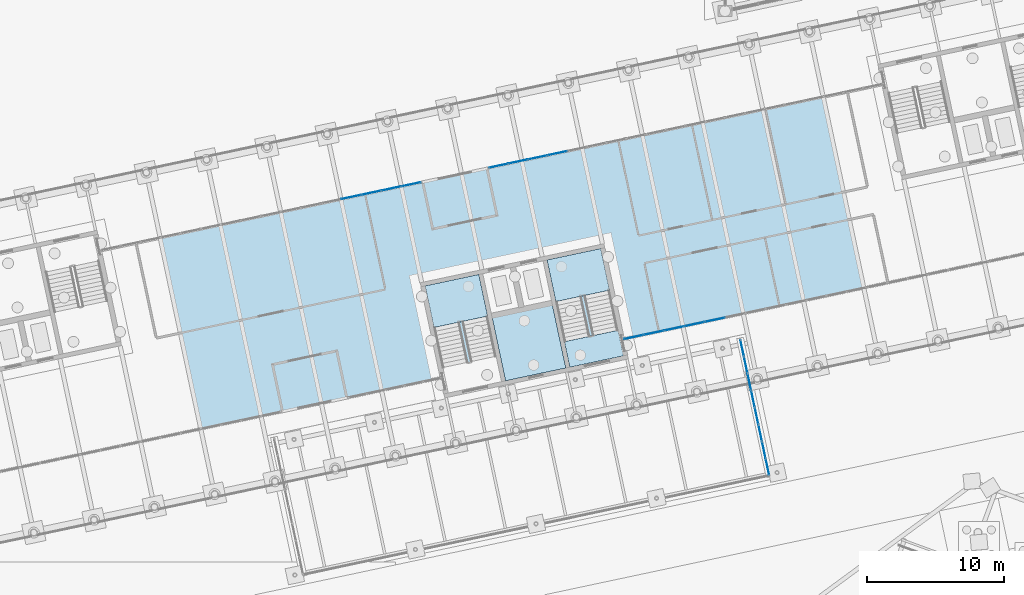
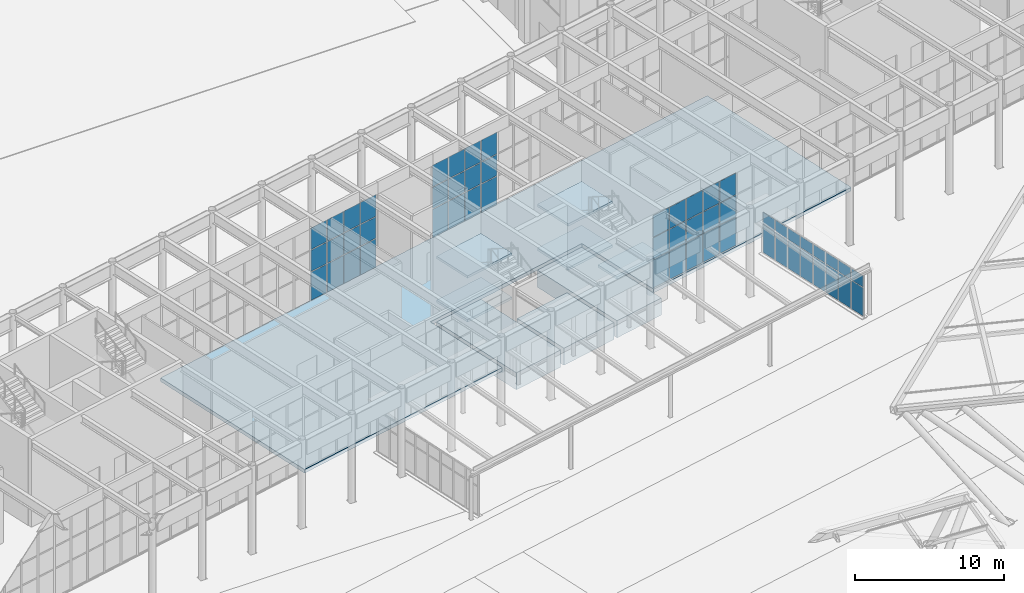
# One storey, part 147 of 239: 55 plates, 9 slabs, 6 elements without a shape of their own.
"""IFC4 building model written with IfcOpenShell, lengths in metres."""

from ifc_helpers import new_model, si_unit, direction, frame, origin, origin_2d, place, context, subcontext, project, spatial, polyline, rectangle, outline, extrude, material, layer, layer_set, type_object, element, aggregate, save


model = new_model("IFC4")

# Units and contexts
model_context = context("Model", 3, precision=1e-05, world=origin(), true_north=direction((0.0, 1.0)))
body_context = subcontext(model_context, "Body", "Model", "MODEL_VIEW")
ifc_project = project(units=[si_unit("LENGTHUNIT", "METRE"), si_unit("AREAUNIT", "SQUARE_METRE"), si_unit("VOLUMEUNIT", "CUBIC_METRE"), si_unit("PLANEANGLEUNIT", "RADIAN"), si_unit("MASSUNIT", "GRAM", prefix="KILO")], contexts=[model_context])

# Site, building, storey
site_placement = place(None, origin())
site = spatial("IfcSite", under=ifc_project, at=site_placement, CompositionType="ELEMENT")
building_placement = place(site_placement, origin())
building = spatial("IfcBuilding", under=site, at=building_placement, Name="Okhra Congress Centre", CompositionType="ELEMENT")
storey_placement = place(building_placement, origin())
storey = spatial("IfcBuildingStorey", under=building, at=storey_placement, Name="L00", CompositionType="ELEMENT", Elevation=0.0)

# Curtain wall, plates
ifc_material_1 = material(Name="Aluminium curtain wall, triple glazing", Category="aluminium")
curtain_wall_type_1 = type_object("IfcCurtainWallType", Name="Curtain wall 1500 module", PredefinedType="NOTDEFINED", material=ifc_material_1)
curtain_wall_1_placement = place(storey_placement, origin())
curtain_wall_1 = element("IfcCurtainWall", 1, at=curtain_wall_1_placement, inside=storey, type_object=curtain_wall_type_1, Name="Ground curtain wall S4", PredefinedType="NOTDEFINED")
ifc_material_2 = material(Name="Triple glazing unit, low-e coating, argon fill", Category="glass")
ifc_layer_1 = layer(ifc_material_2, 0.028076171875)
ifc_layer_set_1 = layer_set([ifc_layer_1], Name="Curtain wall glazing unit 28")
plate_type = type_object("IfcPlateType", Name="Curtain wall glazing unit 28", PredefinedType="CURTAIN_PANEL", material=ifc_layer_set_1)
plate_1_placement = place(storey_placement, frame((148.83056640625, 50.439453125, 0.06005859375), z_axis=(0.0, 0.0, 1.0), x_axis=(0.978147600734, 0.207911690818, 0.0)))
plate_1 = element("IfcPlate", 2, at=plate_1_placement, type_object=plate_type, Name="CW7 panel 1.1", PredefinedType="CURTAIN_PANEL", context=body_context, shape_type="SweptSolid", body=[
    extrude(rectangle(XDim=1.427001953125, YDim=0.028076171875, at=origin_2d()), origin(), (0.0, 0.0, 1.0), 2.31005859375),
])
plate_2_placement = place(storey_placement, frame((148.83056640625, 50.439453125, 2.43017578125), z_axis=(0.0, 0.0, 1.0), x_axis=(0.978147600734, 0.207911690818, 0.0)))
plate_2 = element("IfcPlate", 3, at=plate_2_placement, type_object=plate_type, Name="CW7 panel 1.2", PredefinedType="CURTAIN_PANEL", context=body_context, shape_type="SweptSolid", body=[
    extrude(rectangle(XDim=1.427001953125, YDim=0.028076171875, at=origin_2d()), origin(), (0.0, 0.0, 1.0), 1.739990234375),
])
plate_3_placement = place(storey_placement, frame((148.83056640625, 50.439453125, 4.22998046875), z_axis=(0.0, 0.0, 1.0), x_axis=(0.978147600734, 0.207911690818, 0.0)))
plate_3 = element("IfcPlate", 4, at=plate_3_placement, type_object=plate_type, Name="CW7 panel 1.3", PredefinedType="CURTAIN_PANEL", context=body_context, shape_type="SweptSolid", body=[
    extrude(rectangle(XDim=1.427001953125, YDim=0.028076171875, at=origin_2d()), origin(), (0.0, 0.0, 1.0), 1.760009765625),
])
plate_4_placement = place(storey_placement, frame((150.2998046875, 50.751708984375, 0.06005859375), z_axis=(0.0, 0.0, 1.0), x_axis=(0.978147600734, 0.207911690818, 0.0)))
plate_4 = element("IfcPlate", 5, at=plate_4_placement, type_object=plate_type, Name="CW7 panel 2.1", PredefinedType="CURTAIN_PANEL", context=body_context, shape_type="SweptSolid", body=[
    extrude(rectangle(XDim=1.45703125, YDim=0.028076171875, at=origin_2d()), origin(), (0.0, 0.0, 1.0), 2.31005859375),
])
plate_5_placement = place(storey_placement, frame((150.2998046875, 50.751708984375, 2.43017578125), z_axis=(0.0, 0.0, 1.0), x_axis=(0.978147600734, 0.207911690818, 0.0)))
plate_5 = element("IfcPlate", 6, at=plate_5_placement, type_object=plate_type, Name="CW7 panel 2.2", PredefinedType="CURTAIN_PANEL", context=body_context, shape_type="SweptSolid", body=[
    extrude(rectangle(XDim=1.45703125, YDim=0.028076171875, at=origin_2d()), origin(), (0.0, 0.0, 1.0), 1.739990234375),
])
plate_6_placement = place(storey_placement, frame((150.2998046875, 50.751708984375, 4.22998046875), z_axis=(0.0, 0.0, 1.0), x_axis=(0.978147600734, 0.207911690818, 0.0)))
plate_6 = element("IfcPlate", 7, at=plate_6_placement, type_object=plate_type, Name="CW7 panel 2.3", PredefinedType="CURTAIN_PANEL", context=body_context, shape_type="SweptSolid", body=[
    extrude(rectangle(XDim=1.45703125, YDim=0.028076171875, at=origin_2d()), origin(), (0.0, 0.0, 1.0), 1.760009765625),
])
plate_7_placement = place(storey_placement, frame((151.78369140625, 51.067138671875, 0.06005859375), z_axis=(0.0, 0.0, 1.0), x_axis=(0.978147600734, 0.207911690818, 0.0)))
plate_7 = element("IfcPlate", 8, at=plate_7_placement, type_object=plate_type, Name="CW7 panel 3.1", PredefinedType="CURTAIN_PANEL", context=body_context, shape_type="SweptSolid", body=[
    extrude(rectangle(XDim=1.45703125, YDim=0.028076171875, at=origin_2d()), origin(), (0.0, 0.0, 1.0), 2.31005859375),
])
plate_8_placement = place(storey_placement, frame((151.78369140625, 51.067138671875, 2.43017578125), z_axis=(0.0, 0.0, 1.0), x_axis=(0.978147600734, 0.207911690818, 0.0)))
plate_8 = element("IfcPlate", 9, at=plate_8_placement, type_object=plate_type, Name="CW7 panel 3.2", PredefinedType="CURTAIN_PANEL", context=body_context, shape_type="SweptSolid", body=[
    extrude(rectangle(XDim=1.45703125, YDim=0.028076171875, at=origin_2d()), origin(), (0.0, 0.0, 1.0), 1.739990234375),
])
plate_9_placement = place(storey_placement, frame((151.78369140625, 51.067138671875, 4.22998046875), z_axis=(0.0, 0.0, 1.0), x_axis=(0.978147600734, 0.207911690818, 0.0)))
plate_9 = element("IfcPlate", 10, at=plate_9_placement, type_object=plate_type, Name="CW7 panel 3.3", PredefinedType="CURTAIN_PANEL", context=body_context, shape_type="SweptSolid", body=[
    extrude(rectangle(XDim=1.45703125, YDim=0.028076171875, at=origin_2d()), origin(), (0.0, 0.0, 1.0), 1.760009765625),
])
plate_10_placement = place(storey_placement, frame((153.267578125, 51.382568359375, 0.06005859375), z_axis=(0.0, 0.0, 1.0), x_axis=(0.978147600734, 0.207911690818, 0.0)))
plate_10 = element("IfcPlate", 11, at=plate_10_placement, type_object=plate_type, Name="CW7 panel 4.1", PredefinedType="CURTAIN_PANEL", context=body_context, shape_type="SweptSolid", body=[
    extrude(rectangle(XDim=1.45703125, YDim=0.028076171875, at=origin_2d()), origin(), (0.0, 0.0, 1.0), 2.31005859375),
])
plate_11_placement = place(storey_placement, frame((153.267578125, 51.382568359375, 2.43017578125), z_axis=(0.0, 0.0, 1.0), x_axis=(0.978147600734, 0.207911690818, 0.0)))
plate_11 = element("IfcPlate", 12, at=plate_11_placement, type_object=plate_type, Name="CW7 panel 4.2", PredefinedType="CURTAIN_PANEL", context=body_context, shape_type="SweptSolid", body=[
    extrude(rectangle(XDim=1.45703125, YDim=0.028076171875, at=origin_2d()), origin(), (0.0, 0.0, 1.0), 1.739990234375),
])
plate_12_placement = place(storey_placement, frame((153.267578125, 51.382568359375, 4.22998046875), z_axis=(0.0, 0.0, 1.0), x_axis=(0.978147600734, 0.207911690818, 0.0)))
plate_12 = element("IfcPlate", 13, at=plate_12_placement, type_object=plate_type, Name="CW7 panel 4.3", PredefinedType="CURTAIN_PANEL", context=body_context, shape_type="SweptSolid", body=[
    extrude(rectangle(XDim=1.45703125, YDim=0.028076171875, at=origin_2d()), origin(), (0.0, 0.0, 1.0), 1.760009765625),
])
plate_13_placement = place(storey_placement, frame((154.75146484375, 51.69775390625, 0.06005859375), z_axis=(0.0, 0.0, 1.0), x_axis=(0.978147600734, 0.207911690818, 0.0)))
plate_13 = element("IfcPlate", 14, at=plate_13_placement, type_object=plate_type, Name="CW7 panel 5.1", PredefinedType="CURTAIN_PANEL", context=body_context, shape_type="SweptSolid", body=[
    extrude(rectangle(XDim=1.45703125, YDim=0.028076171875, at=origin_2d()), origin(), (0.0, 0.0, 1.0), 2.31005859375),
])
plate_14_placement = place(storey_placement, frame((154.75146484375, 51.69775390625, 2.43017578125), z_axis=(0.0, 0.0, 1.0), x_axis=(0.978147600734, 0.207911690818, 0.0)))
plate_14 = element("IfcPlate", 15, at=plate_14_placement, type_object=plate_type, Name="CW7 panel 5.2", PredefinedType="CURTAIN_PANEL", context=body_context, shape_type="SweptSolid", body=[
    extrude(rectangle(XDim=1.45703125, YDim=0.028076171875, at=origin_2d()), origin(), (0.0, 0.0, 1.0), 1.739990234375),
])
plate_15_placement = place(storey_placement, frame((154.75146484375, 51.69775390625, 4.22998046875), z_axis=(0.0, 0.0, 1.0), x_axis=(0.978147600734, 0.207911690818, 0.0)))
plate_15 = element("IfcPlate", 16, at=plate_15_placement, type_object=plate_type, Name="CW7 panel 5.3", PredefinedType="CURTAIN_PANEL", context=body_context, shape_type="SweptSolid", body=[
    extrude(rectangle(XDim=1.45703125, YDim=0.028076171875, at=origin_2d()), origin(), (0.0, 0.0, 1.0), 1.760009765625),
])
aggregate(curtain_wall_1, [plate_1, plate_2, plate_3, plate_4, plate_5, plate_6, plate_7, plate_8, plate_9, plate_10, plate_11, plate_12, plate_13, plate_14, plate_15])

curtain_wall_2_placement = place(storey_placement, origin())
curtain_wall_2 = element("IfcCurtainWall", 17, at=curtain_wall_2_placement, inside=storey, type_object=curtain_wall_type_1, Name="Ground curtain wall N8", PredefinedType="NOTDEFINED")
plate_16_placement = place(storey_placement, frame((128.19921875, 60.663330078125, 0.06005859375), z_axis=(0.0, 0.0, 1.0), x_axis=(0.978147600734, 0.207911690818, 0.0)))
plate_16 = element("IfcPlate", 18, at=plate_16_placement, type_object=plate_type, Name="CW7 panel 13.1", PredefinedType="CURTAIN_PANEL", context=body_context, shape_type="SweptSolid", body=[
    extrude(rectangle(XDim=1.4375, YDim=0.028076171875, at=origin_2d()), origin(), (0.0, 0.0, 1.0), 2.31005859375),
])
plate_17_placement = place(storey_placement, frame((128.19921875, 60.663330078125, 2.43017578125), z_axis=(0.0, 0.0, 1.0), x_axis=(0.978147600734, 0.207911690818, 0.0)))
plate_17 = element("IfcPlate", 19, at=plate_17_placement, type_object=plate_type, Name="CW7 panel 13.2", PredefinedType="CURTAIN_PANEL", context=body_context, shape_type="SweptSolid", body=[
    extrude(rectangle(XDim=1.4375, YDim=0.028076171875, at=origin_2d()), origin(), (0.0, 0.0, 1.0), 1.739990234375),
])
plate_18_placement = place(storey_placement, frame((128.19921875, 60.663330078125, 4.22998046875), z_axis=(0.0, 0.0, 1.0), x_axis=(0.978147600734, 0.207911690818, 0.0)))
plate_18 = element("IfcPlate", 20, at=plate_18_placement, type_object=plate_type, Name="CW7 panel 13.3", PredefinedType="CURTAIN_PANEL", context=body_context, shape_type="SweptSolid", body=[
    extrude(rectangle(XDim=1.4375, YDim=0.028076171875, at=origin_2d()), origin(), (0.0, 0.0, 1.0), 1.760009765625),
])
plate_19_placement = place(storey_placement, frame((129.6640625, 60.974609375, 0.06005859375), z_axis=(0.0, 0.0, 1.0), x_axis=(0.978147600734, 0.207911690818, 0.0)))
plate_19 = element("IfcPlate", 21, at=plate_19_placement, type_object=plate_type, Name="CW7 panel 14.1", PredefinedType="CURTAIN_PANEL", context=body_context, shape_type="SweptSolid", body=[
    extrude(rectangle(XDim=1.4375, YDim=0.028076171875, at=origin_2d()), origin(), (0.0, 0.0, 1.0), 2.31005859375),
])
plate_20_placement = place(storey_placement, frame((129.6640625, 60.974609375, 2.43017578125), z_axis=(0.0, 0.0, 1.0), x_axis=(0.978147600734, 0.207911690818, 0.0)))
plate_20 = element("IfcPlate", 22, at=plate_20_placement, type_object=plate_type, Name="CW7 panel 14.2", PredefinedType="CURTAIN_PANEL", context=body_context, shape_type="SweptSolid", body=[
    extrude(rectangle(XDim=1.4375, YDim=0.028076171875, at=origin_2d()), origin(), (0.0, 0.0, 1.0), 1.739990234375),
])
plate_21_placement = place(storey_placement, frame((129.6640625, 60.974609375, 4.22998046875), z_axis=(0.0, 0.0, 1.0), x_axis=(0.978147600734, 0.207911690818, 0.0)))
plate_21 = element("IfcPlate", 23, at=plate_21_placement, type_object=plate_type, Name="CW7 panel 14.3", PredefinedType="CURTAIN_PANEL", context=body_context, shape_type="SweptSolid", body=[
    extrude(rectangle(XDim=1.4375, YDim=0.028076171875, at=origin_2d()), origin(), (0.0, 0.0, 1.0), 1.760009765625),
])
plate_22_placement = place(storey_placement, frame((131.12890625, 61.285888671875, 0.06005859375), z_axis=(0.0, 0.0, 1.0), x_axis=(0.978147600734, 0.207911690818, 0.0)))
plate_22 = element("IfcPlate", 24, at=plate_22_placement, type_object=plate_type, Name="CW7 panel 15.1", PredefinedType="CURTAIN_PANEL", context=body_context, shape_type="SweptSolid", body=[
    extrude(rectangle(XDim=1.4375, YDim=0.028076171875, at=origin_2d()), origin(), (0.0, 0.0, 1.0), 2.31005859375),
])
plate_23_placement = place(storey_placement, frame((131.12890625, 61.285888671875, 2.43017578125), z_axis=(0.0, 0.0, 1.0), x_axis=(0.978147600734, 0.207911690818, 0.0)))
plate_23 = element("IfcPlate", 25, at=plate_23_placement, type_object=plate_type, Name="CW7 panel 15.2", PredefinedType="CURTAIN_PANEL", context=body_context, shape_type="SweptSolid", body=[
    extrude(rectangle(XDim=1.4375, YDim=0.028076171875, at=origin_2d()), origin(), (0.0, 0.0, 1.0), 1.739990234375),
])
plate_24_placement = place(storey_placement, frame((131.12890625, 61.285888671875, 4.22998046875), z_axis=(0.0, 0.0, 1.0), x_axis=(0.978147600734, 0.207911690818, 0.0)))
plate_24 = element("IfcPlate", 26, at=plate_24_placement, type_object=plate_type, Name="CW7 panel 15.3", PredefinedType="CURTAIN_PANEL", context=body_context, shape_type="SweptSolid", body=[
    extrude(rectangle(XDim=1.4375, YDim=0.028076171875, at=origin_2d()), origin(), (0.0, 0.0, 1.0), 1.760009765625),
])
plate_25_placement = place(storey_placement, frame((132.578857421875, 61.59423828125, 0.06005859375), z_axis=(0.0, 0.0, 1.0), x_axis=(0.978147600734, 0.207911690818, 0.0)))
plate_25 = element("IfcPlate", 27, at=plate_25_placement, type_object=plate_type, Name="CW7 panel 16.1", PredefinedType="CURTAIN_PANEL", context=body_context, shape_type="SweptSolid", body=[
    extrude(rectangle(XDim=1.407470703125, YDim=0.028076171875, at=origin_2d()), origin(), (0.0, 0.0, 1.0), 2.31005859375),
])
plate_26_placement = place(storey_placement, frame((132.578857421875, 61.59423828125, 2.43017578125), z_axis=(0.0, 0.0, 1.0), x_axis=(0.978147600734, 0.207911690818, 0.0)))
plate_26 = element("IfcPlate", 28, at=plate_26_placement, type_object=plate_type, Name="CW7 panel 16.2", PredefinedType="CURTAIN_PANEL", context=body_context, shape_type="SweptSolid", body=[
    extrude(rectangle(XDim=1.407470703125, YDim=0.028076171875, at=origin_2d()), origin(), (0.0, 0.0, 1.0), 1.739990234375),
])
plate_27_placement = place(storey_placement, frame((132.578857421875, 61.59423828125, 4.22998046875), z_axis=(0.0, 0.0, 1.0), x_axis=(0.978147600734, 0.207911690818, 0.0)))
plate_27 = element("IfcPlate", 29, at=plate_27_placement, type_object=plate_type, Name="CW7 panel 16.3", PredefinedType="CURTAIN_PANEL", context=body_context, shape_type="SweptSolid", body=[
    extrude(rectangle(XDim=1.407470703125, YDim=0.028076171875, at=origin_2d()), origin(), (0.0, 0.0, 1.0), 1.760009765625),
])
aggregate(curtain_wall_2, [plate_16, plate_17, plate_18, plate_19, plate_20, plate_21, plate_22, plate_23, plate_24, plate_25, plate_26, plate_27])

curtain_wall_3_placement = place(storey_placement, origin())
curtain_wall_3 = element("IfcCurtainWall", 30, at=curtain_wall_3_placement, inside=storey, type_object=curtain_wall_type_1, Name="Ground curtain wall N9", PredefinedType="NOTDEFINED")
plate_28_placement = place(storey_placement, frame((138.951904296875, 62.94873046875, 0.06005859375), z_axis=(0.0, 0.0, 1.0), x_axis=(0.978147600734, 0.207911690818, 0.0)))
plate_28 = element("IfcPlate", 31, at=plate_28_placement, type_object=plate_type, Name="CW7 panel 1.1", PredefinedType="CURTAIN_PANEL", context=body_context, shape_type="SweptSolid", body=[
    extrude(rectangle(XDim=1.383056640625, YDim=0.028076171875, at=origin_2d()), origin(), (0.0, 0.0, 1.0), 2.31005859375),
])
plate_29_placement = place(storey_placement, frame((138.951904296875, 62.94873046875, 2.43017578125), z_axis=(0.0, 0.0, 1.0), x_axis=(0.978147600734, 0.207911690818, 0.0)))
plate_29 = element("IfcPlate", 32, at=plate_29_placement, type_object=plate_type, Name="CW7 panel 1.2", PredefinedType="CURTAIN_PANEL", context=body_context, shape_type="SweptSolid", body=[
    extrude(rectangle(XDim=1.383056640625, YDim=0.028076171875, at=origin_2d()), origin(), (0.0, 0.0, 1.0), 1.739990234375),
])
plate_30_placement = place(storey_placement, frame((138.951904296875, 62.94873046875, 4.22998046875), z_axis=(0.0, 0.0, 1.0), x_axis=(0.978147600734, 0.207911690818, 0.0)))
plate_30 = element("IfcPlate", 33, at=plate_30_placement, type_object=plate_type, Name="CW7 panel 1.3", PredefinedType="CURTAIN_PANEL", context=body_context, shape_type="SweptSolid", body=[
    extrude(rectangle(XDim=1.383056640625, YDim=0.028076171875, at=origin_2d()), origin(), (0.0, 0.0, 1.0), 1.760009765625),
])
plate_31_placement = place(storey_placement, frame((140.3779296875, 63.251953125, 0.06005859375), z_axis=(0.0, 0.0, 1.0), x_axis=(0.978147600734, 0.207911690818, 0.0)))
plate_31 = element("IfcPlate", 34, at=plate_31_placement, type_object=plate_type, Name="CW7 panel 2.1", PredefinedType="CURTAIN_PANEL", context=body_context, shape_type="SweptSolid", body=[
    extrude(rectangle(XDim=1.4130859375, YDim=0.028076171875, at=origin_2d()), origin(), (0.0, 0.0, 1.0), 2.31005859375),
])
plate_32_placement = place(storey_placement, frame((140.3779296875, 63.251953125, 2.43017578125), z_axis=(0.0, 0.0, 1.0), x_axis=(0.978147600734, 0.207911690818, 0.0)))
plate_32 = element("IfcPlate", 35, at=plate_32_placement, type_object=plate_type, Name="CW7 panel 2.2", PredefinedType="CURTAIN_PANEL", context=body_context, shape_type="SweptSolid", body=[
    extrude(rectangle(XDim=1.4130859375, YDim=0.028076171875, at=origin_2d()), origin(), (0.0, 0.0, 1.0), 1.739990234375),
])
plate_33_placement = place(storey_placement, frame((140.3779296875, 63.251953125, 4.22998046875), z_axis=(0.0, 0.0, 1.0), x_axis=(0.978147600734, 0.207911690818, 0.0)))
plate_33 = element("IfcPlate", 36, at=plate_33_placement, type_object=plate_type, Name="CW7 panel 2.3", PredefinedType="CURTAIN_PANEL", context=body_context, shape_type="SweptSolid", body=[
    extrude(rectangle(XDim=1.4130859375, YDim=0.028076171875, at=origin_2d()), origin(), (0.0, 0.0, 1.0), 1.760009765625),
])
plate_34_placement = place(storey_placement, frame((141.81884765625, 63.55810546875, 0.06005859375), z_axis=(0.0, 0.0, 1.0), x_axis=(0.978147600734, 0.207911690818, 0.0)))
plate_34 = element("IfcPlate", 37, at=plate_34_placement, type_object=plate_type, Name="CW7 panel 3.1", PredefinedType="CURTAIN_PANEL", context=body_context, shape_type="SweptSolid", body=[
    extrude(rectangle(XDim=1.4130859375, YDim=0.028076171875, at=origin_2d()), origin(), (0.0, 0.0, 1.0), 2.31005859375),
])
plate_35_placement = place(storey_placement, frame((141.81884765625, 63.55810546875, 2.43017578125), z_axis=(0.0, 0.0, 1.0), x_axis=(0.978147600734, 0.207911690818, 0.0)))
plate_35 = element("IfcPlate", 38, at=plate_35_placement, type_object=plate_type, Name="CW7 panel 3.2", PredefinedType="CURTAIN_PANEL", context=body_context, shape_type="SweptSolid", body=[
    extrude(rectangle(XDim=1.4130859375, YDim=0.028076171875, at=origin_2d()), origin(), (0.0, 0.0, 1.0), 1.739990234375),
])
plate_36_placement = place(storey_placement, frame((141.81884765625, 63.55810546875, 4.22998046875), z_axis=(0.0, 0.0, 1.0), x_axis=(0.978147600734, 0.207911690818, 0.0)))
plate_36 = element("IfcPlate", 39, at=plate_36_placement, type_object=plate_type, Name="CW7 panel 3.3", PredefinedType="CURTAIN_PANEL", context=body_context, shape_type="SweptSolid", body=[
    extrude(rectangle(XDim=1.4130859375, YDim=0.028076171875, at=origin_2d()), origin(), (0.0, 0.0, 1.0), 1.760009765625),
])
plate_37_placement = place(storey_placement, frame((143.259521484375, 63.864501953125, 0.06005859375), z_axis=(0.0, 0.0, 1.0), x_axis=(0.978147600734, 0.207911690818, 0.0)))
plate_37 = element("IfcPlate", 40, at=plate_37_placement, type_object=plate_type, Name="CW7 panel 4.1", PredefinedType="CURTAIN_PANEL", context=body_context, shape_type="SweptSolid", body=[
    extrude(rectangle(XDim=1.4130859375, YDim=0.028076171875, at=origin_2d()), origin(), (0.0, 0.0, 1.0), 2.31005859375),
])
plate_38_placement = place(storey_placement, frame((143.259521484375, 63.864501953125, 2.43017578125), z_axis=(0.0, 0.0, 1.0), x_axis=(0.978147600734, 0.207911690818, 0.0)))
plate_38 = element("IfcPlate", 41, at=plate_38_placement, type_object=plate_type, Name="CW7 panel 4.2", PredefinedType="CURTAIN_PANEL", context=body_context, shape_type="SweptSolid", body=[
    extrude(rectangle(XDim=1.4130859375, YDim=0.028076171875, at=origin_2d()), origin(), (0.0, 0.0, 1.0), 1.739990234375),
])
plate_39_placement = place(storey_placement, frame((143.259521484375, 63.864501953125, 4.22998046875), z_axis=(0.0, 0.0, 1.0), x_axis=(0.978147600734, 0.207911690818, 0.0)))
plate_39 = element("IfcPlate", 42, at=plate_39_placement, type_object=plate_type, Name="CW7 panel 4.3", PredefinedType="CURTAIN_PANEL", context=body_context, shape_type="SweptSolid", body=[
    extrude(rectangle(XDim=1.4130859375, YDim=0.028076171875, at=origin_2d()), origin(), (0.0, 0.0, 1.0), 1.760009765625),
])
aggregate(curtain_wall_3, [plate_28, plate_29, plate_30, plate_31, plate_32, plate_33, plate_34, plate_35, plate_36, plate_37, plate_38, plate_39])

curtain_wall_type_2 = type_object("IfcCurtainWallType", Name="Curtain wall 1200 module", PredefinedType="NOTDEFINED", material=ifc_material_1)
curtain_wall_4_placement = place(storey_placement, origin())
curtain_wall_4 = element("IfcCurtainWall", 43, at=curtain_wall_4_placement, inside=storey, type_object=curtain_wall_type_2, Name="Porch glazed side 2", PredefinedType="NOTDEFINED")
plate_40_placement = place(storey_placement, frame((158.6015625, 40.959716796875, 0.06005859375), z_axis=(0.0, 0.0, 1.0), x_axis=(-0.207911690818, 0.978147600734, 0.0)))
plate_40 = element("IfcPlate", 44, at=plate_40_placement, type_object=plate_type, Name="CW8 panel 1.1", PredefinedType="CURTAIN_PANEL", context=body_context, shape_type="SweptSolid", body=[
    extrude(rectangle(XDim=1.181884765625, YDim=0.028076171875, at=origin_2d()), origin(), (0.0, 0.0, 1.0), 2.31005859375),
])
plate_41_placement = place(storey_placement, frame((158.6015625, 40.959716796875, 2.429931640625), z_axis=(0.0, 0.0, 1.0), x_axis=(-0.207911690818, 0.978147600734, 0.0)))
plate_41 = element("IfcPlate", 45, at=plate_41_placement, type_object=plate_type, Name="CW8 panel 1.2", PredefinedType="CURTAIN_PANEL", context=body_context, shape_type="SweptSolid", body=[
    extrude(rectangle(XDim=1.181884765625, YDim=0.028076171875, at=origin_2d()), origin(), (0.0, 0.0, 1.0), 0.92578125),
])
plate_42_placement = place(storey_placement, frame((158.34033203125, 42.18896484375, 0.06005859375), z_axis=(0.0, 0.0, 1.0), x_axis=(-0.207911690818, 0.978147600734, 0.0)))
plate_42 = element("IfcPlate", 46, at=plate_42_placement, type_object=plate_type, Name="CW8 panel 2.1", PredefinedType="CURTAIN_PANEL", context=body_context, shape_type="SweptSolid", body=[
    extrude(rectangle(XDim=1.2119140625, YDim=0.028076171875, at=origin_2d()), origin(), (0.0, 0.0, 1.0), 2.31005859375),
])
plate_43_placement = place(storey_placement, frame((158.34033203125, 42.18896484375, 2.429931640625), z_axis=(0.0, 0.0, 1.0), x_axis=(-0.207911690818, 0.978147600734, 0.0)))
plate_43 = element("IfcPlate", 47, at=plate_43_placement, type_object=plate_type, Name="CW8 panel 2.2", PredefinedType="CURTAIN_PANEL", context=body_context, shape_type="SweptSolid", body=[
    extrude(rectangle(XDim=1.2119140625, YDim=0.028076171875, at=origin_2d()), origin(), (0.0, 0.0, 1.0), 0.92578125),
])
plate_44_placement = place(storey_placement, frame((158.07568359375, 43.43310546875, 0.06005859375), z_axis=(0.0, 0.0, 1.0), x_axis=(-0.207911690818, 0.978147600734, 0.0)))
plate_44 = element("IfcPlate", 48, at=plate_44_placement, type_object=plate_type, Name="CW8 panel 3.1", PredefinedType="CURTAIN_PANEL", context=body_context, shape_type="SweptSolid", body=[
    extrude(rectangle(XDim=1.2119140625, YDim=0.028076171875, at=origin_2d()), origin(), (0.0, 0.0, 1.0), 2.31005859375),
])
plate_45_placement = place(storey_placement, frame((158.07568359375, 43.43310546875, 2.429931640625), z_axis=(0.0, 0.0, 1.0), x_axis=(-0.207911690818, 0.978147600734, 0.0)))
plate_45 = element("IfcPlate", 49, at=plate_45_placement, type_object=plate_type, Name="CW8 panel 3.2", PredefinedType="CURTAIN_PANEL", context=body_context, shape_type="SweptSolid", body=[
    extrude(rectangle(XDim=1.2119140625, YDim=0.028076171875, at=origin_2d()), origin(), (0.0, 0.0, 1.0), 0.92578125),
])
plate_46_placement = place(storey_placement, frame((157.811279296875, 44.67724609375, 0.06005859375), z_axis=(0.0, 0.0, 1.0), x_axis=(-0.207911690818, 0.978147600734, 0.0)))
plate_46 = element("IfcPlate", 50, at=plate_46_placement, type_object=plate_type, Name="CW8 panel 4.1", PredefinedType="CURTAIN_PANEL", context=body_context, shape_type="SweptSolid", body=[
    extrude(rectangle(XDim=1.2119140625, YDim=0.028076171875, at=origin_2d()), origin(), (0.0, 0.0, 1.0), 2.31005859375),
])
plate_47_placement = place(storey_placement, frame((157.811279296875, 44.67724609375, 2.429931640625), z_axis=(0.0, 0.0, 1.0), x_axis=(-0.207911690818, 0.978147600734, 0.0)))
plate_47 = element("IfcPlate", 51, at=plate_47_placement, type_object=plate_type, Name="CW8 panel 4.2", PredefinedType="CURTAIN_PANEL", context=body_context, shape_type="SweptSolid", body=[
    extrude(rectangle(XDim=1.2119140625, YDim=0.028076171875, at=origin_2d()), origin(), (0.0, 0.0, 1.0), 0.92578125),
])
plate_48_placement = place(storey_placement, frame((157.546875, 45.92138671875, 0.06005859375), z_axis=(0.0, 0.0, 1.0), x_axis=(-0.207911690818, 0.978147600734, 0.0)))
plate_48 = element("IfcPlate", 52, at=plate_48_placement, type_object=plate_type, Name="CW8 panel 5.1", PredefinedType="CURTAIN_PANEL", context=body_context, shape_type="SweptSolid", body=[
    extrude(rectangle(XDim=1.2119140625, YDim=0.028076171875, at=origin_2d()), origin(), (0.0, 0.0, 1.0), 2.31005859375),
])
plate_49_placement = place(storey_placement, frame((157.546875, 45.92138671875, 2.429931640625), z_axis=(0.0, 0.0, 1.0), x_axis=(-0.207911690818, 0.978147600734, 0.0)))
plate_49 = element("IfcPlate", 53, at=plate_49_placement, type_object=plate_type, Name="CW8 panel 5.2", PredefinedType="CURTAIN_PANEL", context=body_context, shape_type="SweptSolid", body=[
    extrude(rectangle(XDim=1.2119140625, YDim=0.028076171875, at=origin_2d()), origin(), (0.0, 0.0, 1.0), 0.92578125),
])
plate_50_placement = place(storey_placement, frame((157.282470703125, 47.165283203125, 0.06005859375), z_axis=(0.0, 0.0, 1.0), x_axis=(-0.207911690818, 0.978147600734, 0.0)))
plate_50 = element("IfcPlate", 54, at=plate_50_placement, type_object=plate_type, Name="CW8 panel 6.1", PredefinedType="CURTAIN_PANEL", context=body_context, shape_type="SweptSolid", body=[
    extrude(rectangle(XDim=1.2119140625, YDim=0.028076171875, at=origin_2d()), origin(), (0.0, 0.0, 1.0), 2.31005859375),
])
plate_51_placement = place(storey_placement, frame((157.282470703125, 47.165283203125, 2.429931640625), z_axis=(0.0, 0.0, 1.0), x_axis=(-0.207911690818, 0.978147600734, 0.0)))
plate_51 = element("IfcPlate", 55, at=plate_51_placement, type_object=plate_type, Name="CW8 panel 6.2", PredefinedType="CURTAIN_PANEL", context=body_context, shape_type="SweptSolid", body=[
    extrude(rectangle(XDim=1.2119140625, YDim=0.028076171875, at=origin_2d()), origin(), (0.0, 0.0, 1.0), 0.92578125),
])
plate_52_placement = place(storey_placement, frame((157.01806640625, 48.409423828125, 0.06005859375), z_axis=(0.0, 0.0, 1.0), x_axis=(-0.207911690818, 0.978147600734, 0.0)))
plate_52 = element("IfcPlate", 56, at=plate_52_placement, type_object=plate_type, Name="CW8 panel 7.1", PredefinedType="CURTAIN_PANEL", context=body_context, shape_type="SweptSolid", body=[
    extrude(rectangle(XDim=1.2119140625, YDim=0.028076171875, at=origin_2d()), origin(), (0.0, 0.0, 1.0), 2.31005859375),
])
plate_53_placement = place(storey_placement, frame((157.01806640625, 48.409423828125, 2.429931640625), z_axis=(0.0, 0.0, 1.0), x_axis=(-0.207911690818, 0.978147600734, 0.0)))
plate_53 = element("IfcPlate", 57, at=plate_53_placement, type_object=plate_type, Name="CW8 panel 7.2", PredefinedType="CURTAIN_PANEL", context=body_context, shape_type="SweptSolid", body=[
    extrude(rectangle(XDim=1.2119140625, YDim=0.028076171875, at=origin_2d()), origin(), (0.0, 0.0, 1.0), 0.92578125),
])
plate_54_placement = place(storey_placement, frame((156.7568359375, 49.638916015625, 0.06005859375), z_axis=(0.0, 0.0, 1.0), x_axis=(-0.207911690818, 0.978147600734, 0.0)))
plate_54 = element("IfcPlate", 58, at=plate_54_placement, type_object=plate_type, Name="CW8 panel 8.1", PredefinedType="CURTAIN_PANEL", context=body_context, shape_type="SweptSolid", body=[
    extrude(rectangle(XDim=1.181884765625, YDim=0.028076171875, at=origin_2d()), origin(), (0.0, 0.0, 1.0), 2.31005859375),
])
plate_55_placement = place(storey_placement, frame((156.7568359375, 49.638916015625, 2.429931640625), z_axis=(0.0, 0.0, 1.0), x_axis=(-0.207911690818, 0.978147600734, 0.0)))
plate_55 = element("IfcPlate", 59, at=plate_55_placement, type_object=plate_type, Name="CW8 panel 8.2", PredefinedType="CURTAIN_PANEL", context=body_context, shape_type="SweptSolid", body=[
    extrude(rectangle(XDim=1.181884765625, YDim=0.028076171875, at=origin_2d()), origin(), (0.0, 0.0, 1.0), 0.92578125),
])
aggregate(curtain_wall_4, [plate_40, plate_41, plate_42, plate_43, plate_44, plate_45, plate_46, plate_47, plate_48, plate_49, plate_50, plate_51, plate_52, plate_53, plate_54, plate_55])

# Slabs
ifc_material_3 = material(Name="Concrete C35/45", Category="concrete")
ifc_layer_2 = layer(ifc_material_3, 1.39990234375)
ifc_layer_set_2 = layer_set([ifc_layer_2], Name="RC core raft slab 1400 C35/45")
slab_type_1 = type_object("IfcSlabType", Name="RC core raft slab 1400 C35/45", PredefinedType="BASESLAB", material=ifc_layer_set_2)
slab_1_placement = place(storey_placement, frame((0.0, 0.0, -1.39990234375)))
element("IfcSlab", 60, at=slab_1_placement, inside=storey, type_object=slab_type_1, Name="Stair cell raft 3A", PredefinedType="BASESLAB", context=body_context, shape_type="SweptSolid", body=[
    extrude(outline(polyline([(139.183349609375, 47.182373046875), (137.52001953125, 55.007568359375), (133.607421875, 54.176025390625), (135.270751953125, 46.350830078125), (139.183349609375, 47.182373046875)])), origin(), (0.0, 0.0, 1.0), 1.39990234375),
])
slab_2_placement = place(storey_placement, frame((0.0, 0.0, -1.39990234375)))
element("IfcSlab", 61, at=slab_2_placement, inside=storey, type_object=slab_type_1, Name="Stair cell raft 3B", PredefinedType="BASESLAB", context=body_context, shape_type="SweptSolid", body=[
    extrude(outline(polyline([(148.08447265625, 49.074462890625), (146.42138671875, 56.899658203125), (142.5087890625, 56.06787109375), (144.171875, 48.24267578125), (148.08447265625, 49.074462890625)])), origin(), (0.0, 0.0, 1.0), 1.39990234375),
])
slab_3_placement = place(storey_placement, frame((0.0, 0.0, -1.39990234375)))
element("IfcSlab", 62, at=slab_3_placement, inside=storey, type_object=slab_type_1, Name="Riser room raft 3", PredefinedType="BASESLAB", context=body_context, shape_type="SweptSolid", body=[
    extrude(outline(polyline([(139.476806640625, 47.244873046875), (143.87841796875, 48.180419921875), (142.9013671875, 52.777587890625), (138.499755859375, 51.842041015625), (139.476806640625, 47.244873046875)])), origin(), (0.0, 0.0, 1.0), 1.39990234375),
])
ifc_material_4 = material(Name="Concrete C25/30", Category="concrete")
ifc_layer_3 = layer(ifc_material_4, 0.300048828125)
ifc_layer_set_3 = layer_set([ifc_layer_3], Name="RC ground slab 300 C25/30")
slab_type_2 = type_object("IfcSlabType", Name="RC ground slab 300 C25/30", PredefinedType="BASESLAB", material=ifc_layer_set_3)
slab_4_placement = place(storey_placement, frame((0.0, 0.0, -0.300048828125)))
element("IfcSlab", 63, at=slab_4_placement, inside=storey, type_object=slab_type_2, Name="Ground slab 2", PredefinedType="BASESLAB", context=body_context, shape_type="SweptSolid", body=[
    extrude(outline(polyline([(114.284423828125, 57.787353515625), (117.288818359375, 43.653076171875), (134.748779296875, 47.3642578125), (133.251708984375, 54.406982421875), (146.65234375, 57.25537109375), (148.1494140625, 50.212646484375), (165.609130859375, 53.924072265625), (162.60498046875, 68.05810546875), (114.284423828125, 57.787353515625)])), origin(), (0.0, 0.0, 1.0), 0.300048828125),
])

# Stair, slabs
ifc_material_5 = material(Name="Concrete C30/37", Category="concrete")
stair_type = type_object("IfcStairType", Name="Escape stair 1900 wide, 44 risers of 163.6", PredefinedType="HALF_TURN_STAIR", material=ifc_material_5)
stair_1_placement = place(storey_placement, origin())
stair_1 = element("IfcStair", 64, at=stair_1_placement, inside=storey, type_object=stair_type, Name="L00 Escape stair 3A", PredefinedType="HALF_TURN_STAIR")
ifc_layer_4 = layer(ifc_material_5, 0.199951171875)
ifc_layer_set_4 = layer_set([ifc_layer_4], Name="RC stair landing 200 C30/37")
slab_type_3 = type_object("IfcSlabType", Name="RC stair landing 200 C30/37", PredefinedType="LANDING", material=ifc_layer_set_4)
slab_5_placement = place(storey_placement, frame((0.0, 0.0, 1.60009765625)))
slab_5 = element("IfcSlab", 65, at=slab_5_placement, type_object=slab_type_3, Name="BS3A landing 1", PredefinedType="LANDING", context=body_context, shape_type="SweptSolid", body=[
    extrude(outline(polyline([(138.170654296875, 51.971435546875), (134.248291015625, 51.1376953125), (133.6015625, 54.1796875), (137.52392578125, 55.013427734375), (138.170654296875, 51.971435546875)])), origin(), (0.0, 0.0, 1.0), 0.199951171875),
])
slab_6_placement = place(storey_placement, frame((0.0, 0.0, 5.199951171875)))
slab_6 = element("IfcSlab", 66, at=slab_6_placement, type_object=slab_type_3, Name="BS3A landing 3", PredefinedType="LANDING", context=body_context, shape_type="SweptSolid", body=[
    extrude(outline(polyline([(138.170654296875, 51.971435546875), (134.248291015625, 51.1376953125), (133.6015625, 54.1796875), (137.52392578125, 55.013427734375), (138.170654296875, 51.971435546875)])), origin(), (0.0, 0.0, 1.0), 0.199951171875),
])
aggregate(stair_1, [slab_5, slab_6])

stair_2_placement = place(storey_placement, origin())
stair_2 = element("IfcStair", 67, at=stair_2_placement, inside=storey, type_object=stair_type, Name="L00 Escape stair 3B", PredefinedType="HALF_TURN_STAIR")
slab_7_placement = place(storey_placement, frame((0.0, 0.0, 1.60009765625)))
slab_7 = element("IfcSlab", 68, at=slab_7_placement, type_object=slab_type_3, Name="BS3B landing 1", PredefinedType="LANDING", context=body_context, shape_type="SweptSolid", body=[
    extrude(outline(polyline([(147.07177734375, 53.863525390625), (143.1494140625, 53.02978515625), (142.502685546875, 56.07177734375), (146.425048828125, 56.905517578125), (147.07177734375, 53.863525390625)])), origin(), (0.0, 0.0, 1.0), 0.199951171875),
])
slab_8_placement = place(storey_placement, frame((0.0, 0.0, 3.39990234375)))
slab_8 = element("IfcSlab", 69, at=slab_8_placement, type_object=slab_type_3, Name="BS3B landing 2", PredefinedType="LANDING", context=body_context, shape_type="SweptSolid", body=[
    extrude(outline(polyline([(148.090576171875, 49.070556640625), (144.168212890625, 48.23681640625), (143.77099609375, 50.10498046875), (147.693359375, 50.938720703125), (148.090576171875, 49.070556640625)])), origin(), (0.0, 0.0, 1.0), 0.2001953125),
])
slab_9_placement = place(storey_placement, frame((0.0, 0.0, 5.199951171875)))
slab_9 = element("IfcSlab", 70, at=slab_9_placement, type_object=slab_type_3, Name="BS3B landing 3", PredefinedType="LANDING", context=body_context, shape_type="SweptSolid", body=[
    extrude(outline(polyline([(147.07177734375, 53.863525390625), (143.1494140625, 53.02978515625), (142.502685546875, 56.07177734375), (146.425048828125, 56.905517578125), (147.07177734375, 53.863525390625)])), origin(), (0.0, 0.0, 1.0), 0.199951171875),
])
aggregate(stair_2, [slab_7, slab_8, slab_9])

save(model, "model.ifc")
